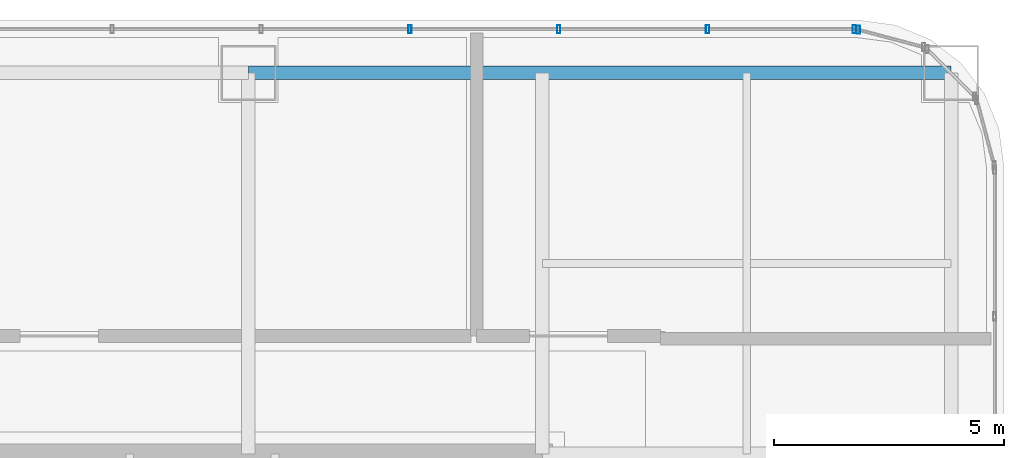
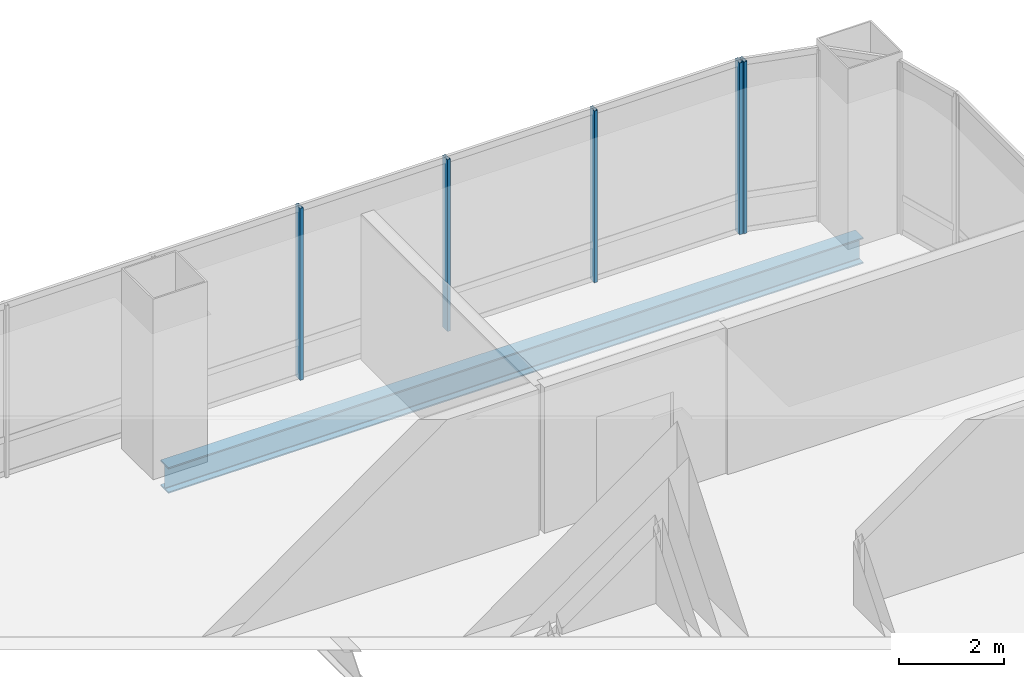
# One storey, part 31 of 42: 5 members, 1 beam, 2 elements without a shape of their own.
"""IFC4 building model written with IfcOpenShell, lengths in metres."""

from ifc_helpers import new_model, si_unit, direction, frame, origin, origin_2d, place, context, subcontext, project, spatial, hollow_rectangle, i_section, extrude, material, material_profile, profile_set, type_object, element, aggregate, save


model = new_model("IFC4")

# Units and contexts
model_context = context("Model", 3, precision=1e-05, world=origin(), true_north=direction((0.0, 1.0)))
body_context = subcontext(model_context, "Body", "Model", "MODEL_VIEW")
ifc_project = project(units=[si_unit("LENGTHUNIT", "METRE"), si_unit("AREAUNIT", "SQUARE_METRE"), si_unit("VOLUMEUNIT", "CUBIC_METRE"), si_unit("PLANEANGLEUNIT", "RADIAN"), si_unit("MASSUNIT", "GRAM", prefix="KILO")], contexts=[model_context])

# Site, building, storey
site_placement = place(None, origin())
site = spatial("IfcSite", under=ifc_project, at=site_placement, CompositionType="ELEMENT")
building_placement = place(site_placement, origin())
building = spatial("IfcBuilding", under=site, at=building_placement, Name="Punatoya Terracotta Tower", CompositionType="ELEMENT")
storey_placement = place(building_placement, frame((0.0, 0.0, 325.800048828125)))
storey = spatial("IfcBuildingStorey", under=building, at=storey_placement, Name="L77", CompositionType="ELEMENT", Elevation=325.800048828125)

# Beam
ifc_material_1 = material(Name="Steel S355", Category="steel")
ifc_material_profile_1 = material_profile(ifc_material_1, i_section(OverallWidth=0.300048828125, OverallDepth=0.60009765625, WebThickness=0.015380859375, FlangeThickness=0.030029296875, FilletRadius=0.01806640625, at=origin_2d()))
ifc_profile_set_1 = profile_set([ifc_material_profile_1], Name="Steel S355")
beam_type = type_object("IfcBeamType", Name="BM-PRI-600", PredefinedType="BEAM", material=ifc_profile_set_1)
beam_placement = place(storey_placement, frame((3.800048828125, 17.5, -0.5), z_axis=(1.0, 0.0, 0.0), x_axis=(0.0, 1.0, 0.0)))
element("IfcBeam", 1, at=beam_placement, inside=storey, type_object=beam_type, Name="BM-L77-RG-N3", PredefinedType="BEAM", context=body_context, shape_type="SweptSolid", body=[
    extrude(i_section(OverallWidth=0.300048828125, OverallDepth=0.60009765625, WebThickness=0.015380859375, FlangeThickness=0.030029296875, FilletRadius=0.01806640625, at=origin_2d()), origin(), (0.0, 0.0, 1.0), 15.300048828125),
])

# Curtain wall, member
ifc_material_2 = material(Name="Aluminium 6063-T6 + Double Low-E Glass", Category="aluminium")
curtain_wall_type = type_object("IfcCurtainWallType", Name="CW-OBS", PredefinedType="NOTDEFINED", material=ifc_material_2)
curtain_wall_1_placement = place(storey_placement, origin())
curtain_wall_1 = element("IfcCurtainWall", 2, at=curtain_wall_1_placement, inside=storey, type_object=curtain_wall_type, Name="L77 Curtain Wall CW-L77-CRN08", PredefinedType="NOTDEFINED")
ifc_material_3 = material(Name="Aluminium 6063-T6", Category="aluminium")
ifc_material_profile_2 = material_profile(ifc_material_3, hollow_rectangle(XDim=0.070068359375, YDim=0.179931640625, WallThickness=0.00390625, at=origin_2d()))
ifc_profile_set_2 = profile_set([ifc_material_profile_2], Name="Aluminium 6063-T6")
member_type = type_object("IfcMemberType", Name="CW-MUL-M3", PredefinedType="MULLION", material=ifc_profile_set_2)
member_1_placement = place(storey_placement, frame((17.080322265625, 18.4384765625, 0.0), z_axis=(0.0, 0.0, 1.0), x_axis=(1.0, 0.0, 0.0)))
member_1 = element("IfcMember", 3, at=member_1_placement, type_object=member_type, Name="CW-L77-CRN08 Mullion 01", PredefinedType="MULLION", context=body_context, shape_type="SweptSolid", body=[
    extrude(hollow_rectangle(XDim=0.070068359375, YDim=0.179931640625, WallThickness=0.00390625, at=origin_2d()), origin(), (0.0, 0.0, 1.0), 4.0),
])
aggregate(curtain_wall_1, [member_1])

# Curtain wall, members
curtain_wall_2_placement = place(storey_placement, origin())
curtain_wall_2 = element("IfcCurtainWall", 4, at=curtain_wall_2_placement, inside=storey, type_object=curtain_wall_type, Name="L77 Curtain Wall CW-L77-N09-1", PredefinedType="NOTDEFINED")
member_2_placement = place(storey_placement, frame((16.991943359375, 18.449951171875, 0.0), z_axis=(0.0, 0.0, 1.0), x_axis=(1.0, 0.0, 0.0)))
member_2 = element("IfcMember", 5, at=member_2_placement, type_object=member_type, Name="CW-L77-N09-1 Mullion 00", PredefinedType="MULLION", context=body_context, shape_type="SweptSolid", body=[
    extrude(hollow_rectangle(XDim=0.070068359375, YDim=0.179931640625, WallThickness=0.00390625, at=origin_2d()), origin(), (0.0, 0.0, 1.0), 4.0),
])
member_3_placement = place(storey_placement, frame((13.79736328125, 18.449951171875, 0.0), z_axis=(0.0, 0.0, 1.0), x_axis=(1.0, 0.0, 0.0)))
member_3 = element("IfcMember", 6, at=member_3_placement, type_object=member_type, Name="CW-L77-N09-1 Mullion 01", PredefinedType="MULLION", context=body_context, shape_type="SweptSolid", body=[
    extrude(hollow_rectangle(XDim=0.070068359375, YDim=0.179931640625, WallThickness=0.00390625, at=origin_2d()), origin(), (0.0, 0.0, 1.0), 4.0),
])
member_4_placement = place(storey_placement, frame((10.557861328125, 18.449951171875, 0.0), z_axis=(0.0, 0.0, 1.0), x_axis=(1.0, 0.0, 0.0)))
member_4 = element("IfcMember", 7, at=member_4_placement, type_object=member_type, Name="CW-L77-N09-1 Mullion 02", PredefinedType="MULLION", context=body_context, shape_type="SweptSolid", body=[
    extrude(hollow_rectangle(XDim=0.070068359375, YDim=0.179931640625, WallThickness=0.00390625, at=origin_2d()), origin(), (0.0, 0.0, 1.0), 4.0),
])
member_5_placement = place(storey_placement, frame((7.318359375, 18.449951171875, 0.0), z_axis=(0.0, 0.0, 1.0), x_axis=(1.0, 0.0, 0.0)))
member_5 = element("IfcMember", 8, at=member_5_placement, type_object=member_type, Name="CW-L77-N09-1 Mullion 03", PredefinedType="MULLION", context=body_context, shape_type="SweptSolid", body=[
    extrude(hollow_rectangle(XDim=0.070068359375, YDim=0.179931640625, WallThickness=0.00390625, at=origin_2d()), origin(), (0.0, 0.0, 1.0), 4.0),
])
aggregate(curtain_wall_2, [member_2, member_3, member_4, member_5])

save(model, "model.ifc")
